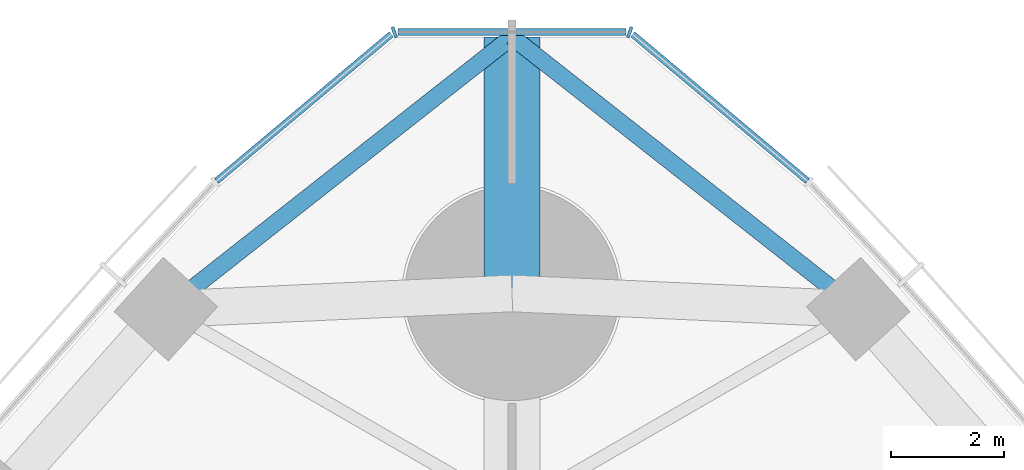
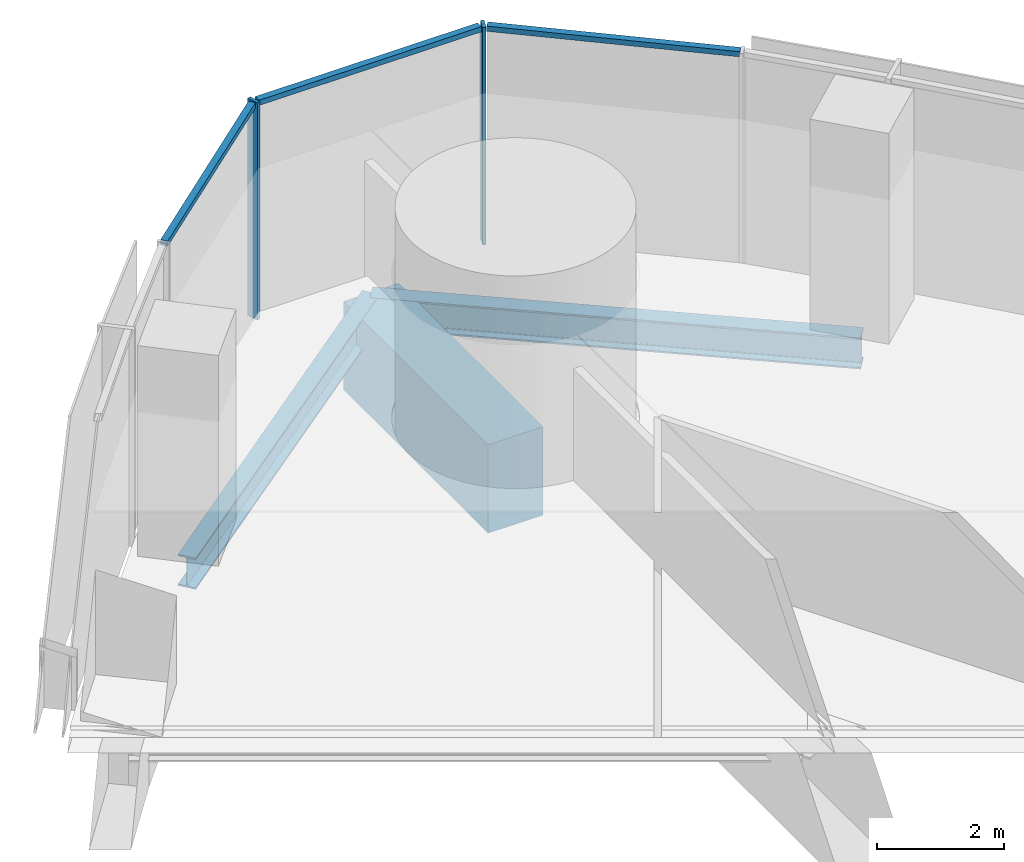
# One storey, part 9 of 19: 5 members, 3 beams, 1 element without a shape of its own.
"""IFC4 building model written with IfcOpenShell, lengths in metres."""

from ifc_helpers import new_model, si_unit, direction, frame, origin, origin_2d, place, context, subcontext, project, spatial, rectangle, i_section, extrude, material, material_profile, profile_set, type_object, element, aggregate, save


model = new_model("IFC4")

# Units and contexts
model_context = context("Model", 3, precision=1e-05, world=origin(), true_north=direction((0.0, 1.0)))
body_context = subcontext(model_context, "Body", "Model", "MODEL_VIEW")
ifc_project = project(units=[si_unit("LENGTHUNIT", "METRE"), si_unit("AREAUNIT", "SQUARE_METRE"), si_unit("VOLUMEUNIT", "CUBIC_METRE"), si_unit("PLANEANGLEUNIT", "RADIAN"), si_unit("MASSUNIT", "GRAM", prefix="KILO")], contexts=[model_context])

# Site, building, storey
site_placement = place(None, origin())
site = spatial("IfcSite", under=ifc_project, at=site_placement, CompositionType="ELEMENT")
building_placement = place(site_placement, origin())
building = spatial("IfcBuilding", under=site, at=building_placement, Name="Trefoil Bronze Tower", CompositionType="ELEMENT")
storey_placement = place(building_placement, frame((0.0, 0.0, 128.300048828125)))
storey = spatial("IfcBuildingStorey", under=building, at=storey_placement, Name="L29", CompositionType="ELEMENT", Elevation=128.300048828125)

# Curtain wall, members
ifc_material_1 = material(Name="Tinted solar-control glass", Category="glass")
curtain_wall_type = type_object("IfcCurtainWallType", Name="Bronze rounded corner curtain wall", PredefinedType="USERDEFINED", material=ifc_material_1)
curtain_wall_placement = place(storey_placement, origin())
curtain_wall = element("IfcCurtainWall", 1, at=curtain_wall_placement, inside=storey, type_object=curtain_wall_type, Name="CW-B L29 K2", ObjectType="CURTAIN WALL", PredefinedType="USERDEFINED")
ifc_material_2 = material(Name="Bronze-finish aluminium", Category="aluminium")
ifc_material_profile_1 = material_profile(ifc_material_2, rectangle(XDim=0.199951171875, YDim=0.06005859375, at=origin_2d()), Name="CW-B mullion")
ifc_profile_set_1 = profile_set([ifc_material_profile_1], Name="Bronze-finish aluminium")
member_type_1 = type_object("IfcMemberType", Name="Bronze rounded corner curtain wall mullion", PredefinedType="MULLION", material=ifc_profile_set_1)
member_1_placement = place(storey_placement, frame((2.08642578125, 39.631591796875, 0.0), z_axis=(0.0, 0.0, 1.0), x_axis=(-0.342020143326, -0.939692620786, 0.0)))
member_1 = element("IfcMember", 2, at=member_1_placement, type_object=member_type_1, Name="CW-B L29 K2 mullion 2", PredefinedType="MULLION", context=body_context, shape_type="SweptSolid", body=[
    extrude(rectangle(XDim=0.199951171875, YDim=0.06005859375, at=origin_2d()), origin(), (0.0, 0.0, 1.0), 4.179931640625),
])
member_2_placement = place(storey_placement, frame((-2.08642578125, 39.631591796875, 0.0), z_axis=(0.0, 0.0, 1.0), x_axis=(0.342020143326, -0.939692620786, 0.0)))
member_2 = element("IfcMember", 3, at=member_2_placement, type_object=member_type_1, Name="CW-B L29 K2 mullion 3", PredefinedType="MULLION", context=body_context, shape_type="SweptSolid", body=[
    extrude(rectangle(XDim=0.199951171875, YDim=0.06005859375, at=origin_2d()), origin(), (0.0, 0.0, 1.0), 4.179931640625),
])
ifc_material_3 = material(Name="Bronze-finish aluminium", Category="aluminium")
ifc_material_profile_2 = material_profile(ifc_material_3, rectangle(XDim=0.1201171875, YDim=0.10009765625, at=origin_2d()), Name="CW-B transom")
ifc_profile_set_2 = profile_set([ifc_material_profile_2], Name="Bronze-finish aluminium")
member_type_2 = type_object("IfcMemberType", Name="Bronze rounded corner curtain wall transom", PredefinedType="USERDEFINED", material=ifc_profile_set_2)
member_3_placement = place(storey_placement, frame((5.237548828125, 36.9951171875, 4.1298828125), z_axis=(-0.766049624684, 0.642781434487, 0.0), x_axis=(-0.642781434487, -0.766049624684, 0.0)))
member_3 = element("IfcMember", 4, at=member_3_placement, type_object=member_type_2, Name="CW-B L29 K2 transom 1", ObjectType="TRANSOM", PredefinedType="USERDEFINED", context=body_context, shape_type="SweptSolid", body=[
    extrude(rectangle(XDim=0.1201171875, YDim=0.10009765625, at=origin_2d()), origin(), (0.0, 0.0, 1.0), 4.04443359375),
])
member_4_placement = place(storey_placement, frame((2.022216796875, 39.637451171875, 4.1298828125), z_axis=(-1.0, 0.0, 0.0), x_axis=(0.0, -1.0, 0.0)))
member_4 = element("IfcMember", 5, at=member_4_placement, type_object=member_type_2, Name="CW-B L29 K2 transom 2", ObjectType="TRANSOM", PredefinedType="USERDEFINED", context=body_context, shape_type="SweptSolid", body=[
    extrude(rectangle(XDim=0.1201171875, YDim=0.10009765625, at=origin_2d()), origin(), (0.0, 0.0, 1.0), 4.04443359375),
])
member_5_placement = place(storey_placement, frame((-2.139404296875, 39.5947265625, 4.1298828125), z_axis=(-0.766049624684, -0.642781434487, 0.0), x_axis=(0.642781434487, -0.766049624684, 0.0)))
member_5 = element("IfcMember", 6, at=member_5_placement, type_object=member_type_2, Name="CW-B L29 K2 transom 3", ObjectType="TRANSOM", PredefinedType="USERDEFINED", context=body_context, shape_type="SweptSolid", body=[
    extrude(rectangle(XDim=0.1201171875, YDim=0.10009765625, at=origin_2d()), origin(), (0.0, 0.0, 1.0), 4.04443359375),
])
aggregate(curtain_wall, [member_1, member_2, member_3, member_4, member_5])

# Beams
ifc_material_4 = material(Name="Concrete B80", Category="concrete")
ifc_material_profile_3 = material_profile(ifc_material_4, rectangle(XDim=1.0, YDim=1.699951171875, at=origin_2d()), Name="RC 1000x1700")
ifc_profile_set_3 = profile_set([ifc_material_profile_3], Name="Concrete B80")
beam_type_1 = type_object("IfcBeamType", Name="Corner cantilever RC 1000x1700", PredefinedType="BEAM", material=ifc_profile_set_3)
beam_placement = place(storey_placement, frame((0.0, 35.0, -1.050048828125), z_axis=(0.0, 1.0, 0.0), x_axis=(-1.0, 0.0, 0.0)))
element("IfcBeam", 7, at=beam_placement, inside=storey, type_object=beam_type_1, Name="Corner cantilever K2 L29", PredefinedType="BEAM", context=body_context, shape_type="SweptSolid", body=[
    extrude(rectangle(XDim=1.0, YDim=1.699951171875, at=origin_2d()), origin(), (0.0, 0.0, 1.0), 4.54931640625),
])
ifc_material_5 = material(Name="Steel C355", Category="steel")
ifc_material_profile_4 = material_profile(ifc_material_5, i_section(OverallWidth=0.300048828125, OverallDepth=0.60009765625, WebThickness=0.015380859375, FlangeThickness=0.030029296875, FilletRadius=0.027099609375, at=origin_2d()), Name="HEB 600")
ifc_profile_set_4 = profile_set([ifc_material_profile_4], Name="Steel C355")
beam_type_2 = type_object("IfcBeamType", Name="Corner edge beam HEB 600", PredefinedType="BEAM", material=ifc_profile_set_4)
for number, where, z_axis, x_axis, name in (
    (8, (6.13916015625, 34.72119140625, -0.5), (-0.786038406433, 0.61817766347, 0.0), (-0.61817766347, -0.786038406433, 0.0), "Corner edge beam F2A L29"),
    (9, (-6.13916015625, 34.72119140625, -0.5), (0.786038406433, 0.61817766347, 0.0), (-0.61817766347, 0.786038406433, 0.0), "Corner edge beam F3B L29"),
):
    element("IfcBeam", number, at=place(storey_placement, frame(where, z_axis=z_axis, x_axis=x_axis)), inside=storey, type_object=beam_type_2, Name=name, PredefinedType="BEAM", context=body_context, shape_type="SweptSolid", body=[
        extrude(i_section(OverallWidth=0.300048828125, OverallDepth=0.60009765625, WebThickness=0.015380859375, FlangeThickness=0.030029296875, FilletRadius=0.027099609375, at=origin_2d()), origin(), (0.0, 0.0, 1.0), 7.810302734375),
    ])

save(model, "model.ifc")
